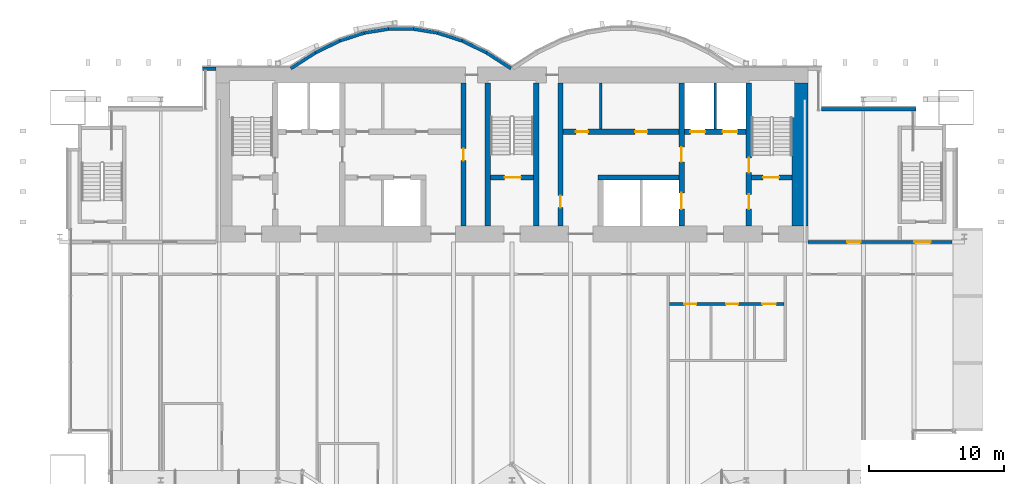
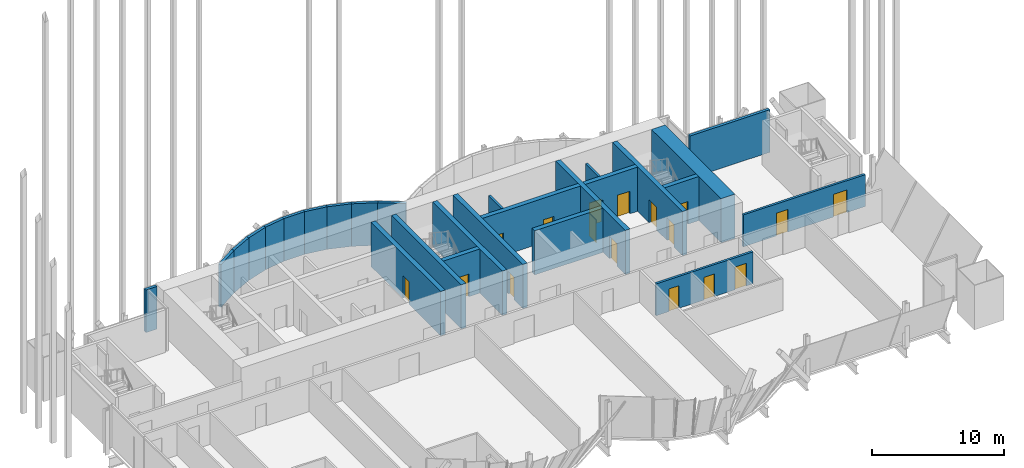
# One storey, part 25 of 29: 26 walls, 17 doors, 17 openings.
"""IFC4 building model written with IfcOpenShell, lengths in metres."""

from ifc_helpers import new_model, si_unit, direction, frame, frame_2d, origin, place, context, subcontext, project, spatial, rectangle, extrude, material, layer, layer_set, layer_usage, type_object, element, fill, save


model = new_model("IFC4")

# Units and contexts
model_context = context("Model", 3, precision=1e-05, world=origin(), true_north=direction((0.0, 1.0)))
body_context = subcontext(model_context, "Body", "Model", "MODEL_VIEW")
ifc_project = project(units=[si_unit("LENGTHUNIT", "METRE"), si_unit("AREAUNIT", "SQUARE_METRE"), si_unit("VOLUMEUNIT", "CUBIC_METRE"), si_unit("PLANEANGLEUNIT", "RADIAN"), si_unit("MASSUNIT", "GRAM", prefix="KILO")], contexts=[model_context])

# Site, building, storey
site_placement = place(None, origin())
site = spatial("IfcSite", under=ifc_project, at=site_placement, CompositionType="ELEMENT")
building_placement = place(site_placement, origin())
building = spatial("IfcBuilding", under=site, at=building_placement, Name="Bicima Exchange Tower", CompositionType="ELEMENT")
storey_placement = place(building_placement, frame((0.0, 0.0, 190.89990234375)))
storey = spatial("IfcBuildingStorey", under=building, at=storey_placement, Name="L42", CompositionType="ELEMENT", Elevation=190.89990234375)

# Wall
ifc_material_1 = material(Name="Gypsum board partition")
ifc_layer_1 = layer(ifc_material_1, 0.199951171875)
ifc_layer_set_1 = layer_set([ifc_layer_1], Name="Gypsum board partition")
wall_type_1 = type_object("IfcWallType", Name="Fire-rated gypsum partition 200 EI120", PredefinedType="PARTITIONING", material=ifc_layer_set_1)
wall_1_placement = place(storey_placement, frame((15.10009765625, -4.60009765625, 0.0), z_axis=(0.0, 0.0, 1.0), x_axis=(0.0, 1.0, 0.0)))
element("IfcWall", 1, at=wall_1_placement, inside=storey, type_object=wall_type_1, Name="partition wall 22", PredefinedType="PARTITIONING", context=body_context, shape_type="SweptSolid", body=[
    extrude(rectangle(XDim=3.400146484375, YDim=0.199951171875, at=frame_2d((1.7001953125, 0.0))), origin(), (0.0, 0.0, 1.0), 2.959716796875),
])

# Wall, openings, doors
ifc_layer_2 = layer(ifc_material_1, 0.199951171875)
ifc_layer_set_2 = layer_set([ifc_layer_2], Name="Gypsum board partition")
wall_type_2 = type_object("IfcWallType", Name="Fire-rated gypsum partition 200 EI60", PredefinedType="PARTITIONING", material=ifc_layer_set_2)
wall_2_placement = place(storey_placement, frame((11.699951171875, -17.60009765625, 0.0), z_axis=(0.0, 0.0, 1.0), x_axis=(1.0, 0.0, 0.0)))
wall_2 = element("IfcWall", 2, at=wall_2_placement, inside=storey, type_object=wall_type_2, Name="partition wall 4", PredefinedType="PARTITIONING", context=body_context, shape_type="SweptSolid", body=[
    extrude(rectangle(XDim=8.5, YDim=0.199951171875, at=frame_2d((4.25, 0.0))), origin(), (0.0, 0.0, 1.0), 2.959716796875),
])
opening_1_placement = place(wall_2_placement, frame((1.10009765625, 0.0, 0.0)))
opening_1 = element("IfcOpeningElement", 3, at=opening_1_placement, cuts=wall_2, Name="Opening L42-015", PredefinedType="OPENING", context=body_context, shape_type="SweptSolid", body=[
    extrude(rectangle(XDim=0.89990234375, YDim=2.10009765625, at=frame_2d((0.449951171875, 1.050048828125))), frame((0.0, 0.11181640625, 0.0), z_axis=(0.0, -1.0, 0.0), x_axis=(1.0, 0.0, 0.0)), (0.0, 0.0, 1.0), 0.223876953125),
])
opening_2_placement = place(wall_2_placement, frame((4.199951171875, 0.0, 0.0)))
opening_2 = element("IfcOpeningElement", 4, at=opening_2_placement, cuts=wall_2, Name="Opening L42-016", PredefinedType="OPENING", context=body_context, shape_type="SweptSolid", body=[
    extrude(rectangle(XDim=0.89990234375, YDim=2.10009765625, at=frame_2d((0.449951171875, 1.050048828125))), frame((0.0, 0.11181640625, 0.0), z_axis=(0.0, -1.0, 0.0), x_axis=(1.0, 0.0, 0.0)), (0.0, 0.0, 1.0), 0.223876953125),
])
opening_3_placement = place(wall_2_placement, frame((6.89990234375, 0.0, 0.0)))
opening_3 = element("IfcOpeningElement", 5, at=opening_3_placement, cuts=wall_2, Name="Opening L42-017", PredefinedType="OPENING", context=body_context, shape_type="SweptSolid", body=[
    extrude(rectangle(XDim=1.0, YDim=2.10009765625, at=frame_2d((0.5, 1.050048828125))), frame((0.0, 0.11181640625, 0.0), z_axis=(0.0, -1.0, 0.0), x_axis=(1.0, 0.0, 0.0)), (0.0, 0.0, 1.0), 0.223876953125),
])
ifc_material_2 = material(Name="Steel fire door leaf", Category="steel")
door_type_1 = type_object("IfcDoorType", Name="Door 1000 swing FD30S", OperationType="SINGLE_SWING_LEFT", PredefinedType="DOOR", material=ifc_material_2)
door_1_placement = place(opening_3_placement, frame((1.0, 0.0, 0.0), z_axis=(0.0, 0.0, 1.0), x_axis=(-1.0, 0.0, 0.0)))
door_1 = element("IfcDoor", 6, at=door_1_placement, inside=storey, type_object=door_type_1, Name="Door", OperationType="SINGLE_SWING_RIGHT", OverallHeight=2.10009765625, OverallWidth=1.0, PredefinedType="DOOR", context=body_context, shape_type="SweptSolid", body=[
    extrude(rectangle(XDim=1.0, YDim=2.10009765625, at=frame_2d((0.5, 1.050048828125))), frame((0.0, 0.02490234375, 0.0), z_axis=(0.0, -1.0, 0.0), x_axis=(1.0, 0.0, 0.0)), (0.0, 0.0, 1.0), 0.050048828125),
])
fill(opening_3, door_1)
door_type_2 = type_object("IfcDoorType", Name="Door 900 swing FD30S", OperationType="SINGLE_SWING_LEFT", PredefinedType="DOOR", material=ifc_material_2)
door_2_placement = place(opening_1_placement, frame((0.89990234375, 0.0, 0.0), z_axis=(0.0, 0.0, 1.0), x_axis=(-1.0, 0.0, 0.0)))
door_2 = element("IfcDoor", 7, at=door_2_placement, inside=storey, type_object=door_type_2, Name="Door", OperationType="SINGLE_SWING_RIGHT", OverallHeight=2.10009765625, OverallWidth=0.89990234375, PredefinedType="DOOR", context=body_context, shape_type="SweptSolid", body=[
    extrude(rectangle(XDim=0.89990234375, YDim=2.10009765625, at=frame_2d((0.449951171875, 1.050048828125))), frame((0.0, 0.02490234375, 0.0), z_axis=(0.0, -1.0, 0.0), x_axis=(1.0, 0.0, 0.0)), (0.0, 0.0, 1.0), 0.050048828125),
])
fill(opening_1, door_2)
door_3_placement = place(opening_2_placement, frame((0.89990234375, 0.0, 0.0), z_axis=(0.0, 0.0, 1.0), x_axis=(-1.0, 0.0, 0.0)))
door_3 = element("IfcDoor", 8, at=door_3_placement, inside=storey, type_object=door_type_2, Name="Door", OperationType="SINGLE_SWING_LEFT", OverallHeight=2.10009765625, OverallWidth=0.89990234375, PredefinedType="DOOR", context=body_context, shape_type="SweptSolid", body=[
    extrude(rectangle(XDim=0.89990234375, YDim=2.10009765625, at=frame_2d((0.449951171875, 1.050048828125))), frame((0.0, 0.02490234375, 0.0), z_axis=(0.0, -1.0, 0.0), x_axis=(1.0, 0.0, 0.0)), (0.0, 0.0, 1.0), 0.050048828125),
])
fill(opening_2, door_3)

wall_3_placement = place(storey_placement, frame((22.0, -13.0, 0.0), z_axis=(0.0, 0.0, 1.0), x_axis=(1.0, 0.0, 0.0)))
wall_3 = element("IfcWall", 9, at=wall_3_placement, inside=storey, type_object=wall_type_2, Name="partition wall 7", PredefinedType="PARTITIONING", context=body_context, shape_type="SweptSolid", body=[
    extrude(rectangle(XDim=10.699951171875, YDim=0.199951171875, at=frame_2d((5.35009765625, 0.0))), origin(), (0.0, 0.0, 1.0), 2.959716796875),
])
opening_4_placement = place(wall_3_placement, frame((7.89990234375, 0.0, 0.0)))
opening_4 = element("IfcOpeningElement", 10, at=opening_4_placement, cuts=wall_3, Name="Opening L42-003", PredefinedType="OPENING", context=body_context, shape_type="SweptSolid", body=[
    extrude(rectangle(XDim=1.199951171875, YDim=2.10009765625, at=frame_2d((0.60009765625, 1.050048828125))), frame((0.0, 0.11181640625, 0.0), z_axis=(0.0, -1.0, 0.0), x_axis=(1.0, 0.0, 0.0)), (0.0, 0.0, 1.0), 0.223876953125),
])
opening_5_placement = place(wall_3_placement, frame((2.89990234375, 0.0, 0.0)))
opening_5 = element("IfcOpeningElement", 11, at=opening_5_placement, cuts=wall_3, Name="Opening L42-006", PredefinedType="OPENING", context=body_context, shape_type="SweptSolid", body=[
    extrude(rectangle(XDim=1.0, YDim=2.10009765625, at=frame_2d((0.5, 1.050048828125))), frame((0.0, 0.11181640625, 0.0), z_axis=(0.0, -1.0, 0.0), x_axis=(1.0, 0.0, 0.0)), (0.0, 0.0, 1.0), 0.223876953125),
])
door_4_placement = place(opening_5_placement, origin())
door_4 = element("IfcDoor", 12, at=door_4_placement, inside=storey, type_object=door_type_1, Name="Door", OperationType="SINGLE_SWING_RIGHT", OverallHeight=2.10009765625, OverallWidth=1.0, PredefinedType="DOOR", context=body_context, shape_type="SweptSolid", body=[
    extrude(rectangle(XDim=1.0, YDim=2.10009765625, at=frame_2d((0.5, 1.050048828125))), frame((0.0, 0.02490234375, 0.0), z_axis=(0.0, -1.0, 0.0), x_axis=(1.0, 0.0, 0.0)), (0.0, 0.0, 1.0), 0.050048828125),
])
fill(opening_5, door_4)
door_type_3 = type_object("IfcDoorType", Name="Door 1200 swing FD30S", OperationType="SINGLE_SWING_LEFT", PredefinedType="DOOR", material=ifc_material_2)
door_5_placement = place(opening_4_placement, origin())
door_5 = element("IfcDoor", 13, at=door_5_placement, inside=storey, type_object=door_type_3, Name="Door", OperationType="SINGLE_SWING_RIGHT", OverallHeight=2.10009765625, OverallWidth=1.199951171875, PredefinedType="DOOR", context=body_context, shape_type="SweptSolid", body=[
    extrude(rectangle(XDim=1.199951171875, YDim=2.10009765625, at=frame_2d((0.60009765625, 1.050048828125))), frame((0.0, 0.02490234375, 0.0), z_axis=(0.0, -1.0, 0.0), x_axis=(1.0, 0.0, 0.0)), (0.0, 0.0, 1.0), 0.050048828125),
])
fill(opening_4, door_5)

# Walls
wall_4_placement = place(storey_placement, frame((6.60009765625, -4.60009765625, 0.0), z_axis=(0.0, 0.0, 1.0), x_axis=(0.0, 1.0, 0.0)))
element("IfcWall", 14, at=wall_4_placement, inside=storey, type_object=wall_type_2, Name="partition wall 19", PredefinedType="PARTITIONING", context=body_context, shape_type="SweptSolid", body=[
    extrude(rectangle(XDim=3.400146484375, YDim=0.199951171875, at=frame_2d((1.7001953125, 0.0))), origin(), (0.0, 0.0, 1.0), 2.959716796875),
])
ifc_material_3 = material(Name="Concrete C50/60", Category="concrete")
ifc_layer_3 = layer(ifc_material_3, 1.199951171875)
ifc_layer_set_3 = layer_set([ifc_layer_3], Name="Concrete C50/60")
wall_type_3 = type_object("IfcWallType", Name="RC core wall 1200 C50/60", PredefinedType="SHEAR", material=ifc_layer_set_3)
wall_5_placement = place(storey_placement, frame((21.39990234375, -11.800048828125, 0.0), z_axis=(0.0, 0.0, 1.0), x_axis=(0.0, 1.0, 0.0)))
element("IfcWall", 15, at=wall_5_placement, inside=storey, type_object=wall_type_3, Name="Core wall east", PredefinedType="SHEAR", context=body_context, shape_type="SweptSolid", body=[
    extrude(rectangle(XDim=10.60009765625, YDim=1.199951171875, at=frame_2d((5.300048828125, 0.0))), origin(), (0.0, 0.0, 1.0), 4.10009765625),
])

# Wall, opening, door
ifc_layer_4 = layer(ifc_material_3, 0.39990234375)
ifc_layer_set_4 = layer_set([ifc_layer_4], Name="Concrete C50/60")
wall_type_4 = type_object("IfcWallType", Name="RC core wall 400 C50/60", PredefinedType="SHEAR", material=ifc_layer_set_4)
wall_6_placement = place(storey_placement, frame((-1.60009765625, -8.199951171875, 0.0), z_axis=(0.0, 0.0, 1.0), x_axis=(1.0, 0.0, 0.0)))
wall_6 = element("IfcWall", 16, at=wall_6_placement, inside=storey, type_object=wall_type_4, Name="stair wall 3", PredefinedType="SHEAR", context=body_context, shape_type="SweptSolid", body=[
    extrude(rectangle(XDim=3.2001953125, YDim=0.39990234375, at=frame_2d((1.60009765625, 0.0))), origin(), (0.0, 0.0, 1.0), 4.10009765625),
])
opening_6_placement = place(wall_6_placement, frame((1.050048828125, 0.0, 0.0)))
opening_6 = element("IfcOpeningElement", 17, at=opening_6_placement, cuts=wall_6, Name="Opening L42-C03", PredefinedType="OPENING", context=body_context, shape_type="SweptSolid", body=[
    extrude(rectangle(XDim=1.199951171875, YDim=2.10009765625, at=frame_2d((0.60009765625, 1.050048828125))), frame((0.0, 0.2119140625, 0.0), z_axis=(0.0, -1.0, 0.0), x_axis=(1.0, 0.0, 0.0)), (0.0, 0.0, 1.0), 0.423828125),
])
door_type_4 = type_object("IfcDoorType", Name="Door 1200 swing FD60S", OperationType="SINGLE_SWING_LEFT", PredefinedType="DOOR", material=ifc_material_2)
door_6_placement = place(opening_6_placement, origin())
door_6 = element("IfcDoor", 18, at=door_6_placement, inside=storey, type_object=door_type_4, Name="Core door", OperationType="SINGLE_SWING_LEFT", OverallHeight=2.10009765625, OverallWidth=1.199951171875, PredefinedType="DOOR", context=body_context, shape_type="SweptSolid", body=[
    extrude(rectangle(XDim=1.199951171875, YDim=2.10009765625, at=frame_2d((0.60009765625, 1.050048828125))), frame((0.0, 0.02490234375, 0.0), z_axis=(0.0, -1.0, 0.0), x_axis=(1.0, 0.0, 0.0)), (0.0, 0.0, 1.0), 0.050048828125),
])
fill(opening_6, door_6)

# Wall
wall_7_placement = place(storey_placement, frame((6.39990234375, -8.199951171875, 0.0), z_axis=(0.0, 0.0, 1.0), x_axis=(1.0, 0.0, 0.0)))
element("IfcWall", 19, at=wall_7_placement, inside=storey, type_object=wall_type_4, Name="shear wall 4", PredefinedType="SHEAR", context=body_context, shape_type="SweptSolid", body=[
    extrude(rectangle(XDim=6.0, YDim=0.39990234375, at=frame_2d((3.0, 0.0))), origin(), (0.0, 0.0, 1.0), 4.10009765625),
])

# Wall, opening, door
wall_8_placement = place(storey_placement, frame((17.800048828125, -8.199951171875, 0.0), z_axis=(0.0, 0.0, 1.0), x_axis=(1.0, 0.0, 0.0)))
wall_8 = element("IfcWall", 20, at=wall_8_placement, inside=storey, type_object=wall_type_4, Name="stair wall 5", PredefinedType="SHEAR", context=body_context, shape_type="SweptSolid", body=[
    extrude(rectangle(XDim=3.0, YDim=0.39990234375, at=frame_2d((1.5, 0.0))), origin(), (0.0, 0.0, 1.0), 4.10009765625),
])
opening_7_placement = place(wall_8_placement, frame((0.85009765625, 0.0, 0.0)))
opening_7 = element("IfcOpeningElement", 21, at=opening_7_placement, cuts=wall_8, Name="Opening L42-C04", PredefinedType="OPENING", context=body_context, shape_type="SweptSolid", body=[
    extrude(rectangle(XDim=1.199951171875, YDim=2.10009765625, at=frame_2d((0.60009765625, 1.050048828125))), frame((0.0, 0.2119140625, 0.0), z_axis=(0.0, -1.0, 0.0), x_axis=(1.0, 0.0, 0.0)), (0.0, 0.0, 1.0), 0.423828125),
])
door_7_placement = place(opening_7_placement, origin())
door_7 = element("IfcDoor", 22, at=door_7_placement, inside=storey, type_object=door_type_4, Name="Core door", OperationType="SINGLE_SWING_RIGHT", OverallHeight=2.10009765625, OverallWidth=1.199951171875, PredefinedType="DOOR", context=body_context, shape_type="SweptSolid", body=[
    extrude(rectangle(XDim=1.199951171875, YDim=2.10009765625, at=frame_2d((0.60009765625, 1.050048828125))), frame((0.0, 0.02490234375, 0.0), z_axis=(0.0, -1.0, 0.0), x_axis=(1.0, 0.0, 0.0)), (0.0, 0.0, 1.0), 0.050048828125),
])
fill(opening_7, door_7)

# Wall, openings, doors
wall_9_placement = place(storey_placement, frame((3.800048828125, -4.800048828125, 0.0), z_axis=(0.0, 0.0, 1.0), x_axis=(1.0, 0.0, 0.0)))
wall_9 = element("IfcWall", 23, at=wall_9_placement, inside=storey, type_object=wall_type_4, Name="shear wall 7", PredefinedType="SHEAR", context=body_context, shape_type="SweptSolid", body=[
    extrude(rectangle(XDim=13.599853515625, YDim=0.39990234375, at=frame_2d((6.7998046875, 0.0))), origin(), (0.0, 0.0, 1.0), 4.10009765625),
])
opening_8_placement = place(wall_9_placement, frame((9.449951171875, 0.0, 0.0)))
opening_8 = element("IfcOpeningElement", 24, at=opening_8_placement, cuts=wall_9, Name="Opening LD-FF2-L42", PredefinedType="OPENING", context=body_context, shape_type="SweptSolid", body=[
    extrude(rectangle(XDim=1.10009765625, YDim=2.10009765625, at=frame_2d((0.550048828125, 1.050048828125))), frame((0.0, 0.2119140625, 0.0), z_axis=(0.0, -1.0, 0.0), x_axis=(1.0, 0.0, 0.0)), (0.0, 0.0, 1.0), 0.423828125),
])
opening_9_placement = place(wall_9_placement, frame((11.85009765625, 0.0, 0.0)))
opening_9 = element("IfcOpeningElement", 25, at=opening_9_placement, cuts=wall_9, Name="Opening LD-SV1-L42", PredefinedType="OPENING", context=body_context, shape_type="SweptSolid", body=[
    extrude(rectangle(XDim=1.10009765625, YDim=2.10009765625, at=frame_2d((0.550048828125, 1.050048828125))), frame((0.0, 0.2119140625, 0.0), z_axis=(0.0, -1.0, 0.0), x_axis=(1.0, 0.0, 0.0)), (0.0, 0.0, 1.0), 0.423828125),
])
opening_10_placement = place(wall_9_placement, frame((0.949951171875, 0.0, 0.0)))
opening_10 = element("IfcOpeningElement", 26, at=opening_10_placement, cuts=wall_9, Name="Opening L42-C14", PredefinedType="OPENING", context=body_context, shape_type="SweptSolid", body=[
    extrude(rectangle(XDim=0.89990234375, YDim=2.10009765625, at=frame_2d((0.449951171875, 1.050048828125))), frame((0.0, 0.2119140625, 0.0), z_axis=(0.0, -1.0, 0.0), x_axis=(1.0, 0.0, 0.0)), (0.0, 0.0, 1.0), 0.423828125),
])
opening_11_placement = place(wall_9_placement, frame((5.35009765625, 0.0, 0.0)))
opening_11 = element("IfcOpeningElement", 27, at=opening_11_placement, cuts=wall_9, Name="Opening L42-C15", PredefinedType="OPENING", context=body_context, shape_type="SweptSolid", body=[
    extrude(rectangle(XDim=0.89990234375, YDim=2.10009765625, at=frame_2d((0.449951171875, 1.050048828125))), frame((0.0, 0.2119140625, 0.0), z_axis=(0.0, -1.0, 0.0), x_axis=(1.0, 0.0, 0.0)), (0.0, 0.0, 1.0), 0.423828125),
])
door_8_placement = place(opening_10_placement, origin())
door_8 = element("IfcDoor", 28, at=door_8_placement, inside=storey, type_object=door_type_2, Name="Core door", OperationType="SINGLE_SWING_RIGHT", OverallHeight=2.10009765625, OverallWidth=0.89990234375, PredefinedType="DOOR", context=body_context, shape_type="SweptSolid", body=[
    extrude(rectangle(XDim=0.89990234375, YDim=2.10009765625, at=frame_2d((0.449951171875, 1.050048828125))), frame((0.0, 0.02490234375, 0.0), z_axis=(0.0, -1.0, 0.0), x_axis=(1.0, 0.0, 0.0)), (0.0, 0.0, 1.0), 0.050048828125),
])
fill(opening_10, door_8)
door_9_placement = place(opening_11_placement, origin())
door_9 = element("IfcDoor", 29, at=door_9_placement, inside=storey, type_object=door_type_2, Name="Core door", OperationType="SINGLE_SWING_LEFT", OverallHeight=2.10009765625, OverallWidth=0.89990234375, PredefinedType="DOOR", context=body_context, shape_type="SweptSolid", body=[
    extrude(rectangle(XDim=0.89990234375, YDim=2.10009765625, at=frame_2d((0.449951171875, 1.050048828125))), frame((0.0, 0.02490234375, 0.0), z_axis=(0.0, -1.0, 0.0), x_axis=(1.0, 0.0, 0.0)), (0.0, 0.0, 1.0), 0.050048828125),
])
fill(opening_11, door_9)
ifc_material_4 = material(Name="Stainless steel", Category="steel")
door_type_5 = type_object("IfcDoorType", Name="Lift landing door 1100 sliding", OperationType="DOUBLE_DOOR_SLIDING", PredefinedType="DOOR", material=ifc_material_4)
door_10_placement = place(opening_8_placement, origin())
door_10 = element("IfcDoor", 30, at=door_10_placement, inside=storey, type_object=door_type_5, Name="Lift landing door FF2", OperationType="DOUBLE_DOOR_SLIDING", OverallHeight=2.10009765625, OverallWidth=1.10009765625, PredefinedType="DOOR", context=body_context, shape_type="SweptSolid", body=[
    extrude(rectangle(XDim=1.10009765625, YDim=2.10009765625, at=frame_2d((0.550048828125, 1.050048828125))), frame((0.0, 0.02490234375, 0.0), z_axis=(0.0, -1.0, 0.0), x_axis=(1.0, 0.0, 0.0)), (0.0, 0.0, 1.0), 0.050048828125),
])
fill(opening_8, door_10)
door_11_placement = place(opening_9_placement, origin())
door_11 = element("IfcDoor", 31, at=door_11_placement, inside=storey, type_object=door_type_5, Name="Lift landing door SV1", OperationType="DOUBLE_DOOR_SLIDING", OverallHeight=2.10009765625, OverallWidth=1.10009765625, PredefinedType="DOOR", context=body_context, shape_type="SweptSolid", body=[
    extrude(rectangle(XDim=1.10009765625, YDim=2.10009765625, at=frame_2d((0.550048828125, 1.050048828125))), frame((0.0, 0.02490234375, 0.0), z_axis=(0.0, -1.0, 0.0), x_axis=(1.0, 0.0, 0.0)), (0.0, 0.0, 1.0), 0.050048828125),
])
fill(opening_9, door_11)

# Wall, opening, door
wall_10_placement = place(storey_placement, frame((-3.60009765625, -11.800048828125, 0.0), z_axis=(0.0, 0.0, 1.0), x_axis=(0.0, 1.0, 0.0)))
wall_10 = element("IfcWall", 32, at=wall_10_placement, inside=storey, type_object=wall_type_4, Name="shear wall 14", PredefinedType="SHEAR", context=body_context, shape_type="SweptSolid", body=[
    extrude(rectangle(XDim=10.60009765625, YDim=0.39990234375, at=frame_2d((5.300048828125, 0.0))), origin(), (0.0, 0.0, 1.0), 4.10009765625),
])
opening_12_placement = place(wall_10_placement, frame((4.85009765625, 0.0, 0.0)))
opening_12 = element("IfcOpeningElement", 33, at=opening_12_placement, cuts=wall_10, Name="Opening L42-C10", PredefinedType="OPENING", context=body_context, shape_type="SweptSolid", body=[
    extrude(rectangle(XDim=0.89990234375, YDim=2.10009765625, at=frame_2d((0.449951171875, 1.050048828125))), frame((0.0, 0.2119140625, 0.0), z_axis=(0.0, -1.0, 0.0), x_axis=(1.0, 0.0, 0.0)), (0.0, 0.0, 1.0), 0.423828125),
])
door_12_placement = place(opening_12_placement, frame((0.89990234375, 0.0, 0.0), z_axis=(0.0, 0.0, 1.0), x_axis=(-1.0, 0.0, 0.0)))
door_12 = element("IfcDoor", 34, at=door_12_placement, inside=storey, type_object=door_type_2, Name="Core door", OperationType="SINGLE_SWING_LEFT", OverallHeight=2.10009765625, OverallWidth=0.89990234375, PredefinedType="DOOR", context=body_context, shape_type="SweptSolid", body=[
    extrude(rectangle(XDim=0.89990234375, YDim=2.10009765625, at=frame_2d((0.449951171875, 1.050048828125))), frame((0.0, 0.02490234375, 0.0), z_axis=(0.0, -1.0, 0.0), x_axis=(1.0, 0.0, 0.0)), (0.0, 0.0, 1.0), 0.050048828125),
])
fill(opening_12, door_12)

# Walls
for number, where, z_axis, x_axis, name in (
    (35, (-1.800048828125, -11.800048828125, 0.0), (0.0, 0.0, 1.0), (0.0, 1.0, 0.0), "stair wall 15"),
    (36, (1.800048828125, -11.800048828125, 0.0), (0.0, 0.0, 1.0), (0.0, 1.0, 0.0), "stair wall 16"),
):
    element("IfcWall", number, at=place(storey_placement, frame(where, z_axis=z_axis, x_axis=x_axis)), inside=storey, type_object=wall_type_4, Name=name, PredefinedType="SHEAR", context=body_context, shape_type="SweptSolid", body=[
        extrude(rectangle(XDim=10.60009765625, YDim=0.39990234375, at=frame_2d((5.300048828125, 0.0))), origin(), (0.0, 0.0, 1.0), 4.10009765625),
    ])

# Wall, opening, door
wall_11_placement = place(storey_placement, frame((3.60009765625, -11.800048828125, 0.0), z_axis=(0.0, 0.0, 1.0), x_axis=(0.0, 1.0, 0.0)))
wall_11 = element("IfcWall", 37, at=wall_11_placement, inside=storey, type_object=wall_type_4, Name="shear wall 17", PredefinedType="SHEAR", context=body_context, shape_type="SweptSolid", body=[
    extrude(rectangle(XDim=10.60009765625, YDim=0.39990234375, at=frame_2d((5.300048828125, 0.0))), origin(), (0.0, 0.0, 1.0), 4.10009765625),
])
opening_13_placement = place(wall_11_placement, frame((1.35009765625, 0.0, 0.0)))
opening_13 = element("IfcOpeningElement", 38, at=opening_13_placement, cuts=wall_11, Name="Opening L42-C11", PredefinedType="OPENING", context=body_context, shape_type="SweptSolid", body=[
    extrude(rectangle(XDim=0.89990234375, YDim=2.10009765625, at=frame_2d((0.449951171875, 1.050048828125))), frame((0.0, 0.2119140625, 0.0), z_axis=(0.0, -1.0, 0.0), x_axis=(1.0, 0.0, 0.0)), (0.0, 0.0, 1.0), 0.423828125),
])
door_13_placement = place(opening_13_placement, origin())
door_13 = element("IfcDoor", 39, at=door_13_placement, inside=storey, type_object=door_type_2, Name="Core door", OperationType="SINGLE_SWING_LEFT", OverallHeight=2.10009765625, OverallWidth=0.89990234375, PredefinedType="DOOR", context=body_context, shape_type="SweptSolid", body=[
    extrude(rectangle(XDim=0.89990234375, YDim=2.10009765625, at=frame_2d((0.449951171875, 1.050048828125))), frame((0.0, 0.02490234375, 0.0), z_axis=(0.0, -1.0, 0.0), x_axis=(1.0, 0.0, 0.0)), (0.0, 0.0, 1.0), 0.050048828125),
])
fill(opening_13, door_13)

# Wall, openings, doors
wall_12_placement = place(storey_placement, frame((12.60009765625, -11.800048828125, 0.0), z_axis=(0.0, 0.0, 1.0), x_axis=(0.0, 1.0, 0.0)))
wall_12 = element("IfcWall", 40, at=wall_12_placement, inside=storey, type_object=wall_type_4, Name="shear wall 21", PredefinedType="SHEAR", context=body_context, shape_type="SweptSolid", body=[
    extrude(rectangle(XDim=10.60009765625, YDim=0.39990234375, at=frame_2d((5.300048828125, 0.0))), origin(), (0.0, 0.0, 1.0), 4.10009765625),
])
opening_14_placement = place(wall_12_placement, frame((1.25, 0.0, 0.0)))
opening_14 = element("IfcOpeningElement", 41, at=opening_14_placement, cuts=wall_12, Name="Opening LD-MB2-L42", PredefinedType="OPENING", context=body_context, shape_type="SweptSolid", body=[
    extrude(rectangle(XDim=1.199951171875, YDim=2.10009765625, at=frame_2d((0.60009765625, 1.050048828125))), frame((0.0, 0.2119140625, 0.0), z_axis=(0.0, -1.0, 0.0), x_axis=(1.0, 0.0, 0.0)), (0.0, 0.0, 1.0), 0.423828125),
])
opening_15_placement = place(wall_12_placement, frame((4.75, 0.0, 0.0)))
opening_15 = element("IfcOpeningElement", 42, at=opening_15_placement, cuts=wall_12, Name="Opening L42-C09", PredefinedType="OPENING", context=body_context, shape_type="SweptSolid", body=[
    extrude(rectangle(XDim=1.10009765625, YDim=2.10009765625, at=frame_2d((0.550048828125, 1.050048828125))), frame((0.0, 0.2119140625, 0.0), z_axis=(0.0, -1.0, 0.0), x_axis=(1.0, 0.0, 0.0)), (0.0, 0.0, 1.0), 0.423828125),
])
door_type_6 = type_object("IfcDoorType", Name="Door 1100 swing FD60S", OperationType="SINGLE_SWING_LEFT", PredefinedType="DOOR", material=ifc_material_2)
door_14_placement = place(opening_15_placement, frame((1.10009765625, 0.0, 0.0), z_axis=(0.0, 0.0, 1.0), x_axis=(-1.0, 0.0, 0.0)))
door_14 = element("IfcDoor", 43, at=door_14_placement, inside=storey, type_object=door_type_6, Name="Core door", OperationType="SINGLE_SWING_RIGHT", OverallHeight=2.10009765625, OverallWidth=1.10009765625, PredefinedType="DOOR", context=body_context, shape_type="SweptSolid", body=[
    extrude(rectangle(XDim=1.10009765625, YDim=2.10009765625, at=frame_2d((0.550048828125, 1.050048828125))), frame((0.0, 0.02490234375, 0.0), z_axis=(0.0, -1.0, 0.0), x_axis=(1.0, 0.0, 0.0)), (0.0, 0.0, 1.0), 0.050048828125),
])
fill(opening_15, door_14)
door_type_7 = type_object("IfcDoorType", Name="Lift landing door 1200 sliding", OperationType="DOUBLE_DOOR_SLIDING", PredefinedType="DOOR", material=ifc_material_4)
door_15_placement = place(opening_14_placement, origin())
door_15 = element("IfcDoor", 44, at=door_15_placement, inside=storey, type_object=door_type_7, Name="Lift landing door MB2", OperationType="DOUBLE_DOOR_SLIDING", OverallHeight=2.10009765625, OverallWidth=1.199951171875, PredefinedType="DOOR", context=body_context, shape_type="SweptSolid", body=[
    extrude(rectangle(XDim=1.199951171875, YDim=2.10009765625, at=frame_2d((0.60009765625, 1.050048828125))), frame((0.0, 0.02490234375, 0.0), z_axis=(0.0, -1.0, 0.0), x_axis=(1.0, 0.0, 0.0)), (0.0, 0.0, 1.0), 0.050048828125),
])
fill(opening_14, door_15)

wall_13_placement = place(storey_placement, frame((17.60009765625, -11.800048828125, 0.0), z_axis=(0.0, 0.0, 1.0), x_axis=(0.0, 1.0, 0.0)))
wall_13 = element("IfcWall", 45, at=wall_13_placement, inside=storey, type_object=wall_type_4, Name="stair wall 23", PredefinedType="SHEAR", context=body_context, shape_type="SweptSolid", body=[
    extrude(rectangle(XDim=10.60009765625, YDim=0.39990234375, at=frame_2d((5.300048828125, 0.0))), origin(), (0.0, 0.0, 1.0), 4.10009765625),
])
opening_16_placement = place(wall_13_placement, frame((1.25, 0.0, 0.0)))
opening_16 = element("IfcOpeningElement", 46, at=opening_16_placement, cuts=wall_13, Name="Opening L42-C05", PredefinedType="OPENING", context=body_context, shape_type="SweptSolid", body=[
    extrude(rectangle(XDim=1.10009765625, YDim=2.10009765625, at=frame_2d((0.550048828125, 1.050048828125))), frame((0.0, 0.2119140625, 0.0), z_axis=(0.0, -1.0, 0.0), x_axis=(1.0, 0.0, 0.0)), (0.0, 0.0, 1.0), 0.423828125),
])
opening_17_placement = place(wall_13_placement, frame((3.949951171875, 0.0, 0.0)))
opening_17 = element("IfcOpeningElement", 47, at=opening_17_placement, cuts=wall_13, Name="Opening L42-C08", PredefinedType="OPENING", context=body_context, shape_type="SweptSolid", body=[
    extrude(rectangle(XDim=1.10009765625, YDim=2.10009765625, at=frame_2d((0.550048828125, 1.050048828125))), frame((0.0, 0.2119140625, 0.0), z_axis=(0.0, -1.0, 0.0), x_axis=(1.0, 0.0, 0.0)), (0.0, 0.0, 1.0), 0.423828125),
])
door_16_placement = place(opening_16_placement, origin())
door_16 = element("IfcDoor", 48, at=door_16_placement, inside=storey, type_object=door_type_6, Name="Core door", OperationType="SINGLE_SWING_LEFT", OverallHeight=2.10009765625, OverallWidth=1.10009765625, PredefinedType="DOOR", context=body_context, shape_type="SweptSolid", body=[
    extrude(rectangle(XDim=1.10009765625, YDim=2.10009765625, at=frame_2d((0.550048828125, 1.050048828125))), frame((0.0, 0.02490234375, 0.0), z_axis=(0.0, -1.0, 0.0), x_axis=(1.0, 0.0, 0.0)), (0.0, 0.0, 1.0), 0.050048828125),
])
fill(opening_16, door_16)
door_17_placement = place(opening_17_placement, origin())
door_17 = element("IfcDoor", 49, at=door_17_placement, inside=storey, type_object=door_type_6, Name="Core door", OperationType="SINGLE_SWING_RIGHT", OverallHeight=2.10009765625, OverallWidth=1.10009765625, PredefinedType="DOOR", context=body_context, shape_type="SweptSolid", body=[
    extrude(rectangle(XDim=1.10009765625, YDim=2.10009765625, at=frame_2d((0.550048828125, 1.050048828125))), frame((0.0, 0.02490234375, 0.0), z_axis=(0.0, -1.0, 0.0), x_axis=(1.0, 0.0, 0.0)), (0.0, 0.0, 1.0), 0.050048828125),
])
fill(opening_17, door_17)

# Walls
ifc_material_5 = material(Name="Concrete C40/50", Category="concrete")
ifc_layer_5 = layer(ifc_material_5, 0.25)
ifc_layer_set_5 = layer_set([ifc_layer_5], Name="Concrete C40/50")
ifc_layer_usage = layer_usage(ifc_layer_set_5, "AXIS2", "POSITIVE", -0.125)
wall_type_5 = type_object("IfcWallType", Name="Rear backup wall 250", PredefinedType="STANDARD", material=ifc_layer_set_5)
wall_14_placement = place(storey_placement, frame((30.0, -3.125, 0.0), z_axis=(0.0, 0.0, 1.0), x_axis=(-1.0, 0.0, 0.0)))
element("IfcWall", 50, at=wall_14_placement, inside=storey, type_object=wall_type_5, material=ifc_layer_usage, Name="Rear backup wall L42 5", PredefinedType="STANDARD", context=body_context, shape_type="SweptSolid", body=[
    extrude(rectangle(XDim=7.0, YDim=0.25, at=frame_2d((3.5, 0.0))), origin(), (0.0, 0.0, 1.0), 3.9501953125),
])
wall_15_placement = place(storey_placement, frame((-0.06787109375, -0.10498046875, 0.0), z_axis=(0.0, 0.0, 1.0), x_axis=(-0.83981312244, 0.542875602121, 0.0)))
element("IfcWall", 51, at=wall_15_placement, inside=storey, type_object=wall_type_5, material=ifc_layer_usage, Name="Rear backup wall L42 17", PredefinedType="STANDARD", context=body_context, shape_type="SweptSolid", body=[
    extrude(rectangle(XDim=2.182861328125, YDim=0.25, at=frame_2d((1.09130859375, 0.0))), origin(), (0.0, 0.0, 1.0), 3.9501953125),
])
wall_16_placement = place(storey_placement, frame((-1.8876953125, 1.07275390625, 0.0), z_axis=(0.0, 0.0, 1.0), x_axis=(-0.89982408427, 0.436252928206, 0.0)))
element("IfcWall", 52, at=wall_16_placement, inside=storey, type_object=wall_type_5, material=ifc_layer_usage, Name="Rear backup wall L42 18", PredefinedType="STANDARD", context=body_context, shape_type="SweptSolid", body=[
    extrude(rectangle(XDim=2.03759765625, YDim=0.25, at=frame_2d((1.018798828125, 0.0))), origin(), (0.0, 0.0, 1.0), 3.9501953125),
])
wall_17_placement = place(storey_placement, frame((-3.705078125, 1.955078125, 0.0), z_axis=(0.0, 0.0, 1.0), x_axis=(-0.951495806175, 0.307661714928, 0.0)))
element("IfcWall", 53, at=wall_17_placement, inside=storey, type_object=wall_type_5, material=ifc_layer_usage, Name="Rear backup wall L42 19", PredefinedType="STANDARD", context=body_context, shape_type="SweptSolid", body=[
    extrude(rectangle(XDim=1.9267578125, YDim=0.25, at=frame_2d((0.96337890625, 0.0))), origin(), (0.0, 0.0, 1.0), 3.9501953125),
])
wall_18_placement = place(storey_placement, frame((-5.52001953125, 2.543212890625, 0.0), z_axis=(0.0, 0.0, 1.0), x_axis=(-0.987181718931, 0.159600293885, 0.0)))
element("IfcWall", 54, at=wall_18_placement, inside=storey, type_object=wall_type_5, material=ifc_layer_usage, Name="Rear backup wall L42 20", PredefinedType="STANDARD", context=body_context, shape_type="SweptSolid", body=[
    extrude(rectangle(XDim=1.857177734375, YDim=0.25, at=frame_2d((0.9287109375, 0.0))), origin(), (0.0, 0.0, 1.0), 3.9501953125),
])
wall_19_placement = place(storey_placement, frame((-7.333251953125, 2.837890625, 0.0), z_axis=(0.0, 0.0, 1.0), x_axis=(-1.0, 0.0, 0.0)))
element("IfcWall", 55, at=wall_19_placement, inside=storey, type_object=wall_type_5, material=ifc_layer_usage, Name="Rear backup wall L42 21", PredefinedType="STANDARD", context=body_context, shape_type="SweptSolid", body=[
    extrude(rectangle(XDim=1.83349609375, YDim=0.25, at=frame_2d((0.916748046875, 0.0))), origin(), (0.0, 0.0, 1.0), 3.9501953125),
])
wall_20_placement = place(storey_placement, frame((-9.146728515625, 2.839599609375, 0.0), z_axis=(0.0, 0.0, 1.0), x_axis=(-0.987181718931, -0.159600293885, 0.0)))
element("IfcWall", 56, at=wall_20_placement, inside=storey, type_object=wall_type_5, material=ifc_layer_usage, Name="Rear backup wall L42 22", PredefinedType="STANDARD", context=body_context, shape_type="SweptSolid", body=[
    extrude(rectangle(XDim=1.857177734375, YDim=0.25, at=frame_2d((0.9287109375, 0.0))), origin(), (0.0, 0.0, 1.0), 3.9501953125),
])
wall_21_placement = place(storey_placement, frame((-10.961669921875, 2.5478515625, 0.0), z_axis=(0.0, 0.0, 1.0), x_axis=(-0.951495806175, -0.307661714928, 0.0)))
element("IfcWall", 57, at=wall_21_placement, inside=storey, type_object=wall_type_5, material=ifc_layer_usage, Name="Rear backup wall L42 23", PredefinedType="STANDARD", context=body_context, shape_type="SweptSolid", body=[
    extrude(rectangle(XDim=1.9267578125, YDim=0.25, at=frame_2d((0.96337890625, 0.0))), origin(), (0.0, 0.0, 1.0), 3.9501953125),
])
wall_22_placement = place(storey_placement, frame((-12.77880859375, 1.961669921875, 0.0), z_axis=(0.0, 0.0, 1.0), x_axis=(-0.89982408427, -0.436252928206, 0.0)))
element("IfcWall", 58, at=wall_22_placement, inside=storey, type_object=wall_type_5, material=ifc_layer_usage, Name="Rear backup wall L42 24", PredefinedType="STANDARD", context=body_context, shape_type="SweptSolid", body=[
    extrude(rectangle(XDim=2.03759765625, YDim=0.25, at=frame_2d((1.018798828125, 0.0))), origin(), (0.0, 0.0, 1.0), 3.9501953125),
])
wall_23_placement = place(storey_placement, frame((-14.598876953125, 1.080078125, 0.0), z_axis=(0.0, 0.0, 1.0), x_axis=(-0.83981312244, -0.542875602121, 0.0)))
element("IfcWall", 59, at=wall_23_placement, inside=storey, type_object=wall_type_5, material=ifc_layer_usage, Name="Rear backup wall L42 25", PredefinedType="STANDARD", context=body_context, shape_type="SweptSolid", body=[
    extrude(rectangle(XDim=2.182861328125, YDim=0.25, at=frame_2d((1.09130859375, 0.0))), origin(), (0.0, 0.0, 1.0), 3.9501953125),
])
wall_24_placement = place(storey_placement, frame((-22.0, -0.125, 0.0), z_axis=(0.0, 0.0, 1.0), x_axis=(-1.0, 0.0, 0.0)))
element("IfcWall", 60, at=wall_24_placement, inside=storey, type_object=wall_type_5, material=ifc_layer_usage, Name="Rear backup wall L42 26", PredefinedType="STANDARD", context=body_context, shape_type="SweptSolid", body=[
    extrude(rectangle(XDim=1.0, YDim=0.25, at=frame_2d((0.5, 0.0))), origin(), (0.0, 0.0, 1.0), 3.9501953125),
])

save(model, "model.ifc")
